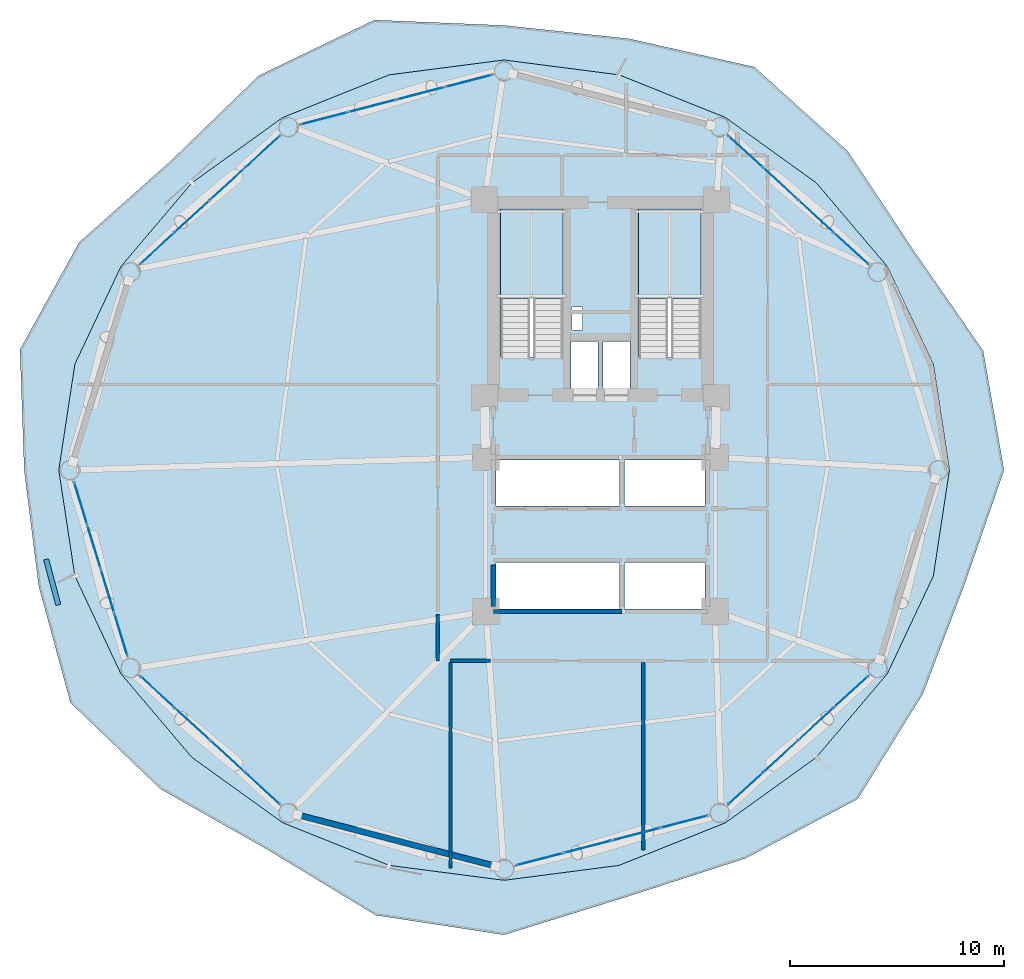
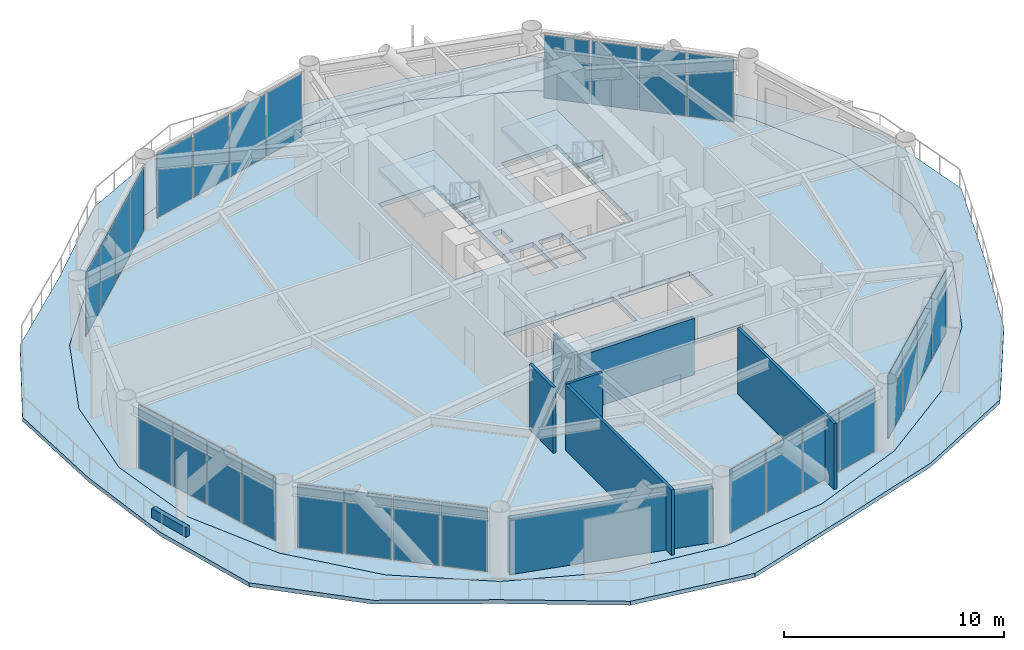
# One storey, part 18 of 23: 28 plates, 8 walls, 4 slabs, 9 elements without a shape of their own.
"""IFC4 building model written with IfcOpenShell, lengths in metres."""

from ifc_helpers import new_model, si_unit, direction, frame, frame_2d, origin, origin_2d, place, context, subcontext, project, spatial, polyline, rectangle, outline, extrude, source, transform, mapped, material, layer, layer_set, type_object, type_shapes, element, aggregate, save


model = new_model("IFC4")

# Units and contexts
model_context = context("Model", 3, precision=1e-05, world=origin(), true_north=direction((0.0, 1.0)))
body_context = subcontext(model_context, "Body", "Model", "MODEL_VIEW")
ifc_project = project(units=[si_unit("LENGTHUNIT", "METRE"), si_unit("AREAUNIT", "SQUARE_METRE"), si_unit("VOLUMEUNIT", "CUBIC_METRE"), si_unit("PLANEANGLEUNIT", "RADIAN"), si_unit("MASSUNIT", "GRAM", prefix="KILO")], contexts=[model_context])

# Site, building, storey
site_placement = place(None, origin())
site = spatial("IfcSite", under=ifc_project, at=site_placement, CompositionType="ELEMENT")
building_placement = place(site_placement, origin())
building = spatial("IfcBuilding", under=site, at=building_placement, Name="Varnakorn Sky Granary", CompositionType="ELEMENT")
storey_placement = place(building_placement, frame((0.0, 0.0, 31.5)))
storey = spatial("IfcBuildingStorey", under=building, at=storey_placement, Name="L07", CompositionType="ELEMENT", Elevation=31.5)

# Stair, slab
ifc_material_1 = material(Name="Concrete C40/50", Category="concrete")
stair_type = type_object("IfcStairType", Name="ST-MAIN-ASSEMBLY", PredefinedType="HALF_TURN_STAIR", material=ifc_material_1)
stair_1_placement = place(storey_placement, origin())
stair_1 = element("IfcStair", 1, at=stair_1_placement, inside=storey, type_object=stair_type, Name="L07 Protected Exit Stair ST-1", PredefinedType="HALF_TURN_STAIR")
ifc_layer_1 = layer(ifc_material_1, 0.199951171875, Name="Concrete C40/50")
ifc_layer_set_1 = layer_set([ifc_layer_1], Name="Concrete C40/50")
slab_type_1 = type_object("IfcSlabType", Name="ST-MAIN-LAND", PredefinedType="LANDING", material=ifc_layer_set_1)
slab_1_placement = place(storey_placement, frame((0.0, 0.0, 1.75)))
slab_1 = element("IfcSlab", 2, at=slab_1_placement, type_object=slab_type_1, Name="ST-1 landing 1", PredefinedType="LANDING", context=body_context, shape_type="SweptSolid", body=[
    extrude(outline(polyline([(1.239990234375, 8.0), (1.239990234375, 12.179931640625), (-1.669921875, 12.179931640625), (-1.669921875, 8.0), (1.239990234375, 8.0)])), origin(), (0.0, 0.0, 1.0), 0.199951171875),
])
aggregate(stair_1, [slab_1])

stair_2_placement = place(storey_placement, origin())
stair_2 = element("IfcStair", 3, at=stair_2_placement, inside=storey, type_object=stair_type, Name="L07 Protected Exit Stair ST-2", PredefinedType="HALF_TURN_STAIR")
slab_2_placement = place(storey_placement, frame((0.0, 0.0, 1.75)))
slab_2 = element("IfcSlab", 4, at=slab_2_placement, type_object=slab_type_1, Name="ST-2 landing 1", PredefinedType="LANDING", context=body_context, shape_type="SweptSolid", body=[
    extrude(outline(polyline([(7.679931640625, 8.0), (7.679931640625, 12.179931640625), (4.77001953125, 12.179931640625), (4.77001953125, 8.0), (7.679931640625, 8.0)])), origin(), (0.0, 0.0, 1.0), 0.199951171875),
])
aggregate(stair_2, [slab_2])

# Slabs
ifc_material_2 = material(Name="Precast concrete C40/50", Category="concrete")
ifc_layer_2 = layer(ifc_material_2, 0.219970703125, Name="Precast concrete C40/50")
ifc_layer_set_2 = layer_set([ifc_layer_2], Name="Precast concrete C40/50")
slab_type_2 = type_object("IfcSlabType", Name="ST-SL-DECK-220", PredefinedType="FLOOR", material=ifc_layer_set_2)
slab_3_placement = place(storey_placement, frame((0.0, 0.0, -0.219970703125)))
element("IfcSlab", 5, at=slab_3_placement, inside=storey, type_object=slab_type_2, Name="Wavy Sky-Farm Balcony Deck L07", PredefinedType="FLOOR", context=body_context, shape_type="SweptSolid", body=[
    extrude(outline(polyline([(21.834716796875, 0.0), (20.864013671875, 5.5673828125), (17.63525390625, 10.226806640625), (14.542724609375, 14.8818359375), (10.185302734375, 18.8173828125), (4.321533203125, 20.140380859375), (-1.5, 20.75927734375), (-7.554931640625, 21.011474609375), (-12.951904296875, 18.413330078125), (-17.076171875, 14.4150390625), (-21.335205078125, 10.630859375), (-24.097412109375, 5.6298828125), (-23.9013671875, 0.0), (-23.2265625, -5.396484375), (-21.739501953125, -10.8642578125), (-17.542724609375, -14.8818359375), (-12.547607421875, -17.713134765625), (-7.492431640625, -20.778076171875), (-1.5, -21.692626953125), (4.259033203125, -19.9072265625), (9.781005859375, -18.117431640625), (15.009521484375, -15.348388671875), (18.039306640625, -10.460205078125), (19.9931640625, -5.333984375), (21.834716796875, 0.0)]), holes=[polyline([(19.2880859375, 0.0), (18.5361328125, 4.943603515625), (16.385986328125, 9.505615234375), (13.072021484375, 13.410888671875), (8.826416015625, 16.464111328125), (3.86865234375, 18.4501953125), (-1.5, 19.14599609375), (-6.86865234375, 18.4501953125), (-11.826416015625, 16.464111328125), (-16.072021484375, 13.410888671875), (-19.385986328125, 9.505615234375), (-21.5361328125, 4.943603515625), (-22.2880859375, 0.0), (-21.5361328125, -4.943603515625), (-19.385986328125, -9.505615234375), (-16.072021484375, -13.410888671875), (-11.826416015625, -16.464111328125), (-6.86865234375, -18.4501953125), (-1.5, -19.14599609375), (3.86865234375, -18.4501953125), (8.826416015625, -16.464111328125), (13.072021484375, -13.410888671875), (16.385986328125, -9.505615234375), (18.5361328125, -4.943603515625), (19.2880859375, 0.0)])]), origin(), (0.0, 0.0, 1.0), 0.219970703125),
])
ifc_material_3 = material(Name="Concrete C50/60", Category="concrete")
ifc_layer_3 = layer(ifc_material_3, 0.260009765625, Name="Concrete C50/60")
ifc_layer_set_3 = layer_set([ifc_layer_3], Name="Concrete C50/60")
slab_type_3 = type_object("IfcSlabType", Name="ST-SL-TWR-260", PredefinedType="FLOOR", material=ifc_layer_set_3)
slab_4_placement = place(storey_placement, frame((0.0, 0.0, -0.260009765625)))
element("IfcSlab", 6, at=slab_4_placement, inside=storey, type_object=slab_type_3, Name="Level L07 Structural Floor Slab", PredefinedType="FLOOR", context=body_context, shape_type="SweptSolid", body=[
    extrude(outline(polyline([(19.2880859375, 0.0), (18.5361328125, 4.943603515625), (16.385986328125, 9.505615234375), (13.072021484375, 13.410888671875), (8.826416015625, 16.464111328125), (3.86865234375, 18.4501953125), (-1.5, 19.14599609375), (-6.86865234375, 18.4501953125), (-11.826416015625, 16.464111328125), (-16.072021484375, 13.410888671875), (-19.385986328125, 9.505615234375), (-21.5361328125, 4.943603515625), (-22.2880859375, 0.0), (-21.5361328125, -4.943603515625), (-19.385986328125, -9.505615234375), (-16.072021484375, -13.410888671875), (-11.826416015625, -16.464111328125), (-6.86865234375, -18.4501953125), (-1.5, -19.14599609375), (3.86865234375, -18.4501953125), (8.826416015625, -16.464111328125), (13.072021484375, -13.410888671875), (16.385986328125, -9.505615234375), (18.5361328125, -4.943603515625), (19.2880859375, 0.0)]), holes=[polyline([(1.239990234375, 5.27490234375), (1.239990234375, 12.179931640625), (-1.669921875, 12.179931640625), (-1.669921875, 5.27490234375), (1.239990234375, 5.27490234375)]), polyline([(7.679931640625, 5.27490234375), (7.679931640625, 12.179931640625), (4.77001953125, 12.179931640625), (4.77001953125, 5.27490234375), (7.679931640625, 5.27490234375)]), polyline([(1.659912109375, 6.550048828125), (2.14990234375, 6.550048828125), (2.14990234375, 7.6201171875), (1.659912109375, 7.6201171875), (1.659912109375, 6.550048828125)]), polyline([(1.6201171875, 3.739990234375), (2.8798828125, 3.739990234375), (2.8798828125, 6.010009765625), (1.6201171875, 6.010009765625), (1.6201171875, 3.739990234375)]), polyline([(3.1201171875, 3.739990234375), (4.3798828125, 3.739990234375), (4.3798828125, 6.010009765625), (3.1201171875, 6.010009765625), (3.1201171875, 3.739990234375)]), polyline([(-1.8798828125, -1.679931640625), (3.8798828125, -1.679931640625), (3.8798828125, 0.47998046875), (-1.8798828125, 0.47998046875), (-1.8798828125, -1.679931640625)]), polyline([(4.1201171875, -1.679931640625), (7.8798828125, -1.679931640625), (7.8798828125, 0.47998046875), (4.1201171875, 0.47998046875), (4.1201171875, -1.679931640625)]), polyline([(-1.8798828125, -6.47998046875), (3.8798828125, -6.47998046875), (3.8798828125, -4.320068359375), (-1.8798828125, -4.320068359375), (-1.8798828125, -6.47998046875)]), polyline([(4.1201171875, -6.47998046875), (7.8798828125, -6.47998046875), (7.8798828125, -4.320068359375), (4.1201171875, -4.320068359375), (4.1201171875, -6.47998046875)])]), origin(), (0.0, 0.0, 1.0), 0.260009765625),
])

# Curtain wall, plates
ifc_material_4 = material(Name="Anodised Bronze Aluminium Alloy 6063-T6", Category="aluminium")
ifc_layer_4 = layer(ifc_material_4, 0.18994140625, Name="Anodised Bronze Aluminium Alloy 6063-T6")
ifc_layer_set_4 = layer_set([ifc_layer_4], Name="Anodised Bronze Aluminium Alloy 6063-T6")
curtain_wall_type = type_object("IfcCurtainWallType", Name="CW-FRM-1", PredefinedType="USERDEFINED", material=ifc_layer_set_4)
curtain_wall_1_placement = place(storey_placement, origin())
curtain_wall_1 = element("IfcCurtainWall", 7, at=curtain_wall_1_placement, inside=storey, type_object=curtain_wall_type, Name="Unitised Curtain Wall CW3 CW-L07-B02", ObjectType="CURTAIN WALL", PredefinedType="USERDEFINED")
ifc_material_5 = material(Name="Low-E Tinted Laminated Glass", Category="glass")
ifc_layer_5 = layer(ifc_material_5, 0.028076171875, Name="Low-E Tinted Laminated Glass")
ifc_layer_set_5 = layer_set([ifc_layer_5], Name="Low-E Tinted Laminated Glass")
plate_type = type_object("IfcPlateType", Name="CW-FRM-1-PNL", PredefinedType="CURTAIN_PANEL")
shared_shape_1 = source(origin(), body_context, "Body", "SweptSolid", [
    extrude(rectangle(XDim=2.134033203125, YDim=0.028076171875, at=origin_2d()), origin(), (0.0, 0.0, 1.0), 3.5),
])
plate_1_placement = place(storey_placement, frame((9.769775390625, 14.868896484375, 0.070068359375), z_axis=(0.0, 0.0, 1.0), x_axis=(0.736546689499, -0.676386704621, 0.0)))
plate_1 = element("IfcPlate", 8, at=plate_1_placement, type_object=plate_type, material=ifc_layer_set_5, Name="CW3 vision glazing unit 1.1", PredefinedType="CURTAIN_PANEL", context=body_context, shape_type="MappedRepresentation", body=[
    mapped(shared_shape_1, transform((0.0, 0.0, 0.0), x_axis=(1.0, 0.0, 0.0), y_axis=(0.0, 1.0, 0.0), z_axis=(0.0, 0.0, 1.0), scale=1.0)),
])
plate_2_placement = place(storey_placement, frame((14.69140625, 10.349365234375, 0.070068359375), z_axis=(0.0, 0.0, 1.0), x_axis=(0.736546689499, -0.676386704621, 0.0)))
plate_2 = element("IfcPlate", 9, at=plate_2_placement, type_object=plate_type, material=ifc_layer_set_5, Name="CW3 vision glazing unit 4.1", PredefinedType="CURTAIN_PANEL", context=body_context, shape_type="MappedRepresentation", body=[
    mapped(shared_shape_1, transform((0.0, 0.0, 0.0), x_axis=(1.0, 0.0, 0.0), y_axis=(0.0, 1.0, 0.0), z_axis=(0.0, 0.0, 1.0), scale=1.0)),
])

curtain_wall_2_placement = place(storey_placement, origin())
curtain_wall_2 = element("IfcCurtainWall", 10, at=curtain_wall_2_placement, inside=storey, type_object=curtain_wall_type, Name="Unitised Curtain Wall CW3 CW-L07-B05", ObjectType="CURTAIN WALL", PredefinedType="USERDEFINED")
plate_3_placement = place(storey_placement, frame((-17.69140625, 10.349365234375, 0.070068359375), z_axis=(0.0, 0.0, 1.0), x_axis=(0.736546689499, 0.676386704621, 0.0)))
plate_3 = element("IfcPlate", 11, at=plate_3_placement, type_object=plate_type, material=ifc_layer_set_5, Name="CW3 vision glazing unit 1.1", PredefinedType="CURTAIN_PANEL", context=body_context, shape_type="MappedRepresentation", body=[
    mapped(shared_shape_1, transform((0.0, 0.0, 0.0), x_axis=(1.0, 0.0, 0.0), y_axis=(0.0, 1.0, 0.0), z_axis=(0.0, 0.0, 1.0), scale=1.0)),
])
plate_4_placement = place(storey_placement, frame((-12.769775390625, 14.868896484375, 0.070068359375), z_axis=(0.0, 0.0, 1.0), x_axis=(0.736546689499, 0.676386704621, 0.0)))
plate_4 = element("IfcPlate", 12, at=plate_4_placement, type_object=plate_type, material=ifc_layer_set_5, Name="CW3 vision glazing unit 4.1", PredefinedType="CURTAIN_PANEL", context=body_context, shape_type="MappedRepresentation", body=[
    mapped(shared_shape_1, transform((0.0, 0.0, 0.0), x_axis=(1.0, 0.0, 0.0), y_axis=(0.0, 1.0, 0.0), z_axis=(0.0, 0.0, 1.0), scale=1.0)),
])

curtain_wall_3_placement = place(storey_placement, origin())
curtain_wall_3 = element("IfcCurtainWall", 13, at=curtain_wall_3_placement, inside=storey, type_object=curtain_wall_type, Name="Unitised Curtain Wall CW3 CW-L07-B08", ObjectType="CURTAIN WALL", PredefinedType="USERDEFINED")
plate_5_placement = place(storey_placement, frame((-12.769775390625, -14.868896484375, 0.070068359375), z_axis=(0.0, 0.0, 1.0), x_axis=(-0.736546689499, 0.676386704621, 0.0)))
plate_5 = element("IfcPlate", 14, at=plate_5_placement, type_object=plate_type, material=ifc_layer_set_5, Name="CW3 vision glazing unit 1.1", PredefinedType="CURTAIN_PANEL", context=body_context, shape_type="MappedRepresentation", body=[
    mapped(shared_shape_1, transform((0.0, 0.0, 0.0), x_axis=(1.0, 0.0, 0.0), y_axis=(0.0, 1.0, 0.0), z_axis=(0.0, 0.0, 1.0), scale=1.0)),
])
plate_6_placement = place(storey_placement, frame((-17.69140625, -10.349365234375, 0.070068359375), z_axis=(0.0, 0.0, 1.0), x_axis=(-0.736546689499, 0.676386704621, 0.0)))
plate_6 = element("IfcPlate", 15, at=plate_6_placement, type_object=plate_type, material=ifc_layer_set_5, Name="CW3 vision glazing unit 4.1", PredefinedType="CURTAIN_PANEL", context=body_context, shape_type="MappedRepresentation", body=[
    mapped(shared_shape_1, transform((0.0, 0.0, 0.0), x_axis=(1.0, 0.0, 0.0), y_axis=(0.0, 1.0, 0.0), z_axis=(0.0, 0.0, 1.0), scale=1.0)),
])

curtain_wall_4_placement = place(storey_placement, origin())
curtain_wall_4 = element("IfcCurtainWall", 16, at=curtain_wall_4_placement, inside=storey, type_object=curtain_wall_type, Name="Unitised Curtain Wall CW3 CW-L07-B11", ObjectType="CURTAIN WALL", PredefinedType="USERDEFINED")
plate_7_placement = place(storey_placement, frame((14.69140625, -10.349365234375, 0.070068359375), z_axis=(0.0, 0.0, 1.0), x_axis=(-0.736546689499, -0.676386704621, 0.0)))
plate_7 = element("IfcPlate", 17, at=plate_7_placement, type_object=plate_type, material=ifc_layer_set_5, Name="CW3 vision glazing unit 1.1", PredefinedType="CURTAIN_PANEL", context=body_context, shape_type="MappedRepresentation", body=[
    mapped(shared_shape_1, transform((0.0, 0.0, 0.0), x_axis=(1.0, 0.0, 0.0), y_axis=(0.0, 1.0, 0.0), z_axis=(0.0, 0.0, 1.0), scale=1.0)),
])
plate_8_placement = place(storey_placement, frame((9.769775390625, -14.868896484375, 0.070068359375), z_axis=(0.0, 0.0, 1.0), x_axis=(-0.736546689499, -0.676386704621, 0.0)))
plate_8 = element("IfcPlate", 18, at=plate_8_placement, type_object=plate_type, material=ifc_layer_set_5, Name="CW3 vision glazing unit 4.1", PredefinedType="CURTAIN_PANEL", context=body_context, shape_type="MappedRepresentation", body=[
    mapped(shared_shape_1, transform((0.0, 0.0, 0.0), x_axis=(1.0, 0.0, 0.0), y_axis=(0.0, 1.0, 0.0), z_axis=(0.0, 0.0, 1.0), scale=1.0)),
])

# Plate
ifc_material_6 = material(Name="Opaque Insulated Aluminium Shadow-Box Unit", Category="aluminium")
ifc_layer_6 = layer(ifc_material_6, 0.028076171875, Name="Opaque Insulated Aluminium Shadow-Box Unit")
ifc_layer_set_6 = layer_set([ifc_layer_6], Name="Opaque Insulated Aluminium Shadow-Box Unit")
shared_shape_2 = source(origin(), body_context, "Body", "SweptSolid", [
    extrude(rectangle(XDim=2.1689453125, YDim=0.028076171875, at=origin_2d()), origin(), (0.0, 0.0, 1.0), 3.5),
])
plate_9_placement = place(storey_placement, frame((11.406005859375, 13.3662109375, 0.070068359375), z_axis=(0.0, 0.0, 1.0), x_axis=(0.736546689499, -0.676386704621, 0.0)))
plate_9 = element("IfcPlate", 19, at=plate_9_placement, type_object=plate_type, material=ifc_layer_set_6, Name="CW3 opaque insulated shadow-box unit 2.1", PredefinedType="CURTAIN_PANEL", context=body_context, shape_type="MappedRepresentation", body=[
    mapped(shared_shape_2, transform((0.0, 0.0, 0.0), x_axis=(1.0, 0.0, 0.0), y_axis=(0.0, 1.0, 0.0), z_axis=(0.0, 0.0, 1.0), scale=1.0)),
])

plate_10_placement = place(storey_placement, frame((13.05517578125, 11.851806640625, 0.070068359375), z_axis=(0.0, 0.0, 1.0), x_axis=(0.736546689499, -0.676386704621, 0.0)))
plate_10 = element("IfcPlate", 20, at=plate_10_placement, type_object=plate_type, material=ifc_layer_set_6, Name="CW3 opaque insulated shadow-box unit 3.1", PredefinedType="CURTAIN_PANEL", context=body_context, shape_type="MappedRepresentation", body=[
    mapped(shared_shape_2, transform((0.0, 0.0, 0.0), x_axis=(1.0, 0.0, 0.0), y_axis=(0.0, 1.0, 0.0), z_axis=(0.0, 0.0, 1.0), scale=1.0)),
])

aggregate(curtain_wall_1, [plate_1, plate_9, plate_10, plate_2])

plate_11_placement = place(storey_placement, frame((-16.05517578125, 11.851806640625, 0.070068359375), z_axis=(0.0, 0.0, 1.0), x_axis=(0.736546689499, 0.676386704621, 0.0)))
plate_11 = element("IfcPlate", 21, at=plate_11_placement, type_object=plate_type, material=ifc_layer_set_6, Name="CW3 opaque insulated shadow-box unit 2.1", PredefinedType="CURTAIN_PANEL", context=body_context, shape_type="MappedRepresentation", body=[
    mapped(shared_shape_2, transform((0.0, 0.0, 0.0), x_axis=(1.0, 0.0, 0.0), y_axis=(0.0, 1.0, 0.0), z_axis=(0.0, 0.0, 1.0), scale=1.0)),
])

plate_12_placement = place(storey_placement, frame((-14.406005859375, 13.3662109375, 0.070068359375), z_axis=(0.0, 0.0, 1.0), x_axis=(0.736546689499, 0.676386704621, 0.0)))
plate_12 = element("IfcPlate", 22, at=plate_12_placement, type_object=plate_type, material=ifc_layer_set_6, Name="CW3 opaque insulated shadow-box unit 3.1", PredefinedType="CURTAIN_PANEL", context=body_context, shape_type="MappedRepresentation", body=[
    mapped(shared_shape_2, transform((0.0, 0.0, 0.0), x_axis=(1.0, 0.0, 0.0), y_axis=(0.0, 1.0, 0.0), z_axis=(0.0, 0.0, 1.0), scale=1.0)),
])

aggregate(curtain_wall_2, [plate_3, plate_11, plate_12, plate_4])

plate_13_placement = place(storey_placement, frame((-14.406005859375, -13.3662109375, 0.070068359375), z_axis=(0.0, 0.0, 1.0), x_axis=(-0.736546689499, 0.676386704621, 0.0)))
plate_13 = element("IfcPlate", 23, at=plate_13_placement, type_object=plate_type, material=ifc_layer_set_6, Name="CW3 opaque insulated shadow-box unit 2.1", PredefinedType="CURTAIN_PANEL", context=body_context, shape_type="MappedRepresentation", body=[
    mapped(shared_shape_2, transform((0.0, 0.0, 0.0), x_axis=(1.0, 0.0, 0.0), y_axis=(0.0, 1.0, 0.0), z_axis=(0.0, 0.0, 1.0), scale=1.0)),
])

plate_14_placement = place(storey_placement, frame((-16.05517578125, -11.851806640625, 0.070068359375), z_axis=(0.0, 0.0, 1.0), x_axis=(-0.736546689499, 0.676386704621, 0.0)))
plate_14 = element("IfcPlate", 24, at=plate_14_placement, type_object=plate_type, material=ifc_layer_set_6, Name="CW3 opaque insulated shadow-box unit 3.1", PredefinedType="CURTAIN_PANEL", context=body_context, shape_type="MappedRepresentation", body=[
    mapped(shared_shape_2, transform((0.0, 0.0, 0.0), x_axis=(1.0, 0.0, 0.0), y_axis=(0.0, 1.0, 0.0), z_axis=(0.0, 0.0, 1.0), scale=1.0)),
])

aggregate(curtain_wall_3, [plate_5, plate_13, plate_14, plate_6])

plate_15_placement = place(storey_placement, frame((13.05517578125, -11.851806640625, 0.070068359375), z_axis=(0.0, 0.0, 1.0), x_axis=(-0.736546689499, -0.676386704621, 0.0)))
plate_15 = element("IfcPlate", 25, at=plate_15_placement, type_object=plate_type, material=ifc_layer_set_6, Name="CW3 opaque insulated shadow-box unit 2.1", PredefinedType="CURTAIN_PANEL", context=body_context, shape_type="MappedRepresentation", body=[
    mapped(shared_shape_2, transform((0.0, 0.0, 0.0), x_axis=(1.0, 0.0, 0.0), y_axis=(0.0, 1.0, 0.0), z_axis=(0.0, 0.0, 1.0), scale=1.0)),
])

plate_16_placement = place(storey_placement, frame((11.406005859375, -13.3662109375, 0.070068359375), z_axis=(0.0, 0.0, 1.0), x_axis=(-0.736546689499, -0.676386704621, 0.0)))
plate_16 = element("IfcPlate", 26, at=plate_16_placement, type_object=plate_type, material=ifc_layer_set_6, Name="CW3 opaque insulated shadow-box unit 3.1", PredefinedType="CURTAIN_PANEL", context=body_context, shape_type="MappedRepresentation", body=[
    mapped(shared_shape_2, transform((0.0, 0.0, 0.0), x_axis=(1.0, 0.0, 0.0), y_axis=(0.0, 1.0, 0.0), z_axis=(0.0, 0.0, 1.0), scale=1.0)),
])

aggregate(curtain_wall_4, [plate_7, plate_15, plate_16, plate_8])

# Curtain wall, plates
curtain_wall_5_placement = place(storey_placement, origin())
curtain_wall_5 = element("IfcCurtainWall", 27, at=curtain_wall_5_placement, inside=storey, type_object=curtain_wall_type, Name="Unitised Curtain Wall CW3 CW-L07-B04", ObjectType="CURTAIN WALL", PredefinedType="USERDEFINED")
shared_shape_3 = source(origin(), body_context, "Body", "SweptSolid", [
    extrude(rectangle(XDim=2.232666015625, YDim=0.028076171875, at=origin_2d()), origin(), (0.0, 0.0, 1.0), 3.5),
])
plate_17_placement = place(storey_placement, frame((-9.90283203125, 16.41552734375, 0.070068359375), z_axis=(0.0, 0.0, 1.0), x_axis=(0.967944338258, 0.251164802538, 0.0)))
plate_17 = element("IfcPlate", 28, at=plate_17_placement, type_object=plate_type, material=ifc_layer_set_5, Name="CW3 vision glazing unit 1.1", PredefinedType="CURTAIN_PANEL", context=body_context, shape_type="MappedRepresentation", body=[
    mapped(shared_shape_3, transform((0.0, 0.0, 0.0), x_axis=(1.0, 0.0, 0.0), y_axis=(0.0, 1.0, 0.0), z_axis=(0.0, 0.0, 1.0), scale=1.0)),
])
plate_18_placement = place(storey_placement, frame((-3.148681640625, 18.168212890625, 0.070068359375), z_axis=(0.0, 0.0, 1.0), x_axis=(0.967944338258, 0.251164802538, 0.0)))
plate_18 = element("IfcPlate", 29, at=plate_18_placement, type_object=plate_type, material=ifc_layer_set_5, Name="CW3 vision glazing unit 4.1", PredefinedType="CURTAIN_PANEL", context=body_context, shape_type="MappedRepresentation", body=[
    mapped(shared_shape_3, transform((0.0, 0.0, 0.0), x_axis=(1.0, 0.0, 0.0), y_axis=(0.0, 1.0, 0.0), z_axis=(0.0, 0.0, 1.0), scale=1.0)),
])

curtain_wall_6_placement = place(storey_placement, origin())
curtain_wall_6 = element("IfcCurtainWall", 30, at=curtain_wall_6_placement, inside=storey, type_object=curtain_wall_type, Name="Unitised Curtain Wall CW3 CW-L07-B10", ObjectType="CURTAIN WALL", PredefinedType="USERDEFINED")
plate_19_placement = place(storey_placement, frame((6.90283203125, -16.41552734375, 0.070068359375), z_axis=(0.0, 0.0, 1.0), x_axis=(-0.967944338258, -0.251164802538, 0.0)))
plate_19 = element("IfcPlate", 31, at=plate_19_placement, type_object=plate_type, material=ifc_layer_set_5, Name="CW3 vision glazing unit 1.1", PredefinedType="CURTAIN_PANEL", context=body_context, shape_type="MappedRepresentation", body=[
    mapped(shared_shape_3, transform((0.0, 0.0, 0.0), x_axis=(1.0, 0.0, 0.0), y_axis=(0.0, 1.0, 0.0), z_axis=(0.0, 0.0, 1.0), scale=1.0)),
])
plate_20_placement = place(storey_placement, frame((0.148681640625, -18.168212890625, 0.070068359375), z_axis=(0.0, 0.0, 1.0), x_axis=(-0.967944338258, -0.251164802538, 0.0)))
plate_20 = element("IfcPlate", 32, at=plate_20_placement, type_object=plate_type, material=ifc_layer_set_5, Name="CW3 vision glazing unit 4.1", PredefinedType="CURTAIN_PANEL", context=body_context, shape_type="MappedRepresentation", body=[
    mapped(shared_shape_3, transform((0.0, 0.0, 0.0), x_axis=(1.0, 0.0, 0.0), y_axis=(0.0, 1.0, 0.0), z_axis=(0.0, 0.0, 1.0), scale=1.0)),
])

# Plate
shared_shape_4 = source(origin(), body_context, "Body", "SweptSolid", [
    extrude(rectangle(XDim=2.267578125, YDim=0.028076171875, at=origin_2d()), origin(), (0.0, 0.0, 1.0), 3.5),
])
plate_21_placement = place(storey_placement, frame((-7.656982421875, 16.998291015625, 0.070068359375), z_axis=(0.0, 0.0, 1.0), x_axis=(0.967944338258, 0.251164802538, 0.0)))
plate_21 = element("IfcPlate", 33, at=plate_21_placement, type_object=plate_type, material=ifc_layer_set_6, Name="CW3 opaque insulated shadow-box unit 2.1", PredefinedType="CURTAIN_PANEL", context=body_context, shape_type="MappedRepresentation", body=[
    mapped(shared_shape_4, transform((0.0, 0.0, 0.0), x_axis=(1.0, 0.0, 0.0), y_axis=(0.0, 1.0, 0.0), z_axis=(0.0, 0.0, 1.0), scale=1.0)),
])

plate_22_placement = place(storey_placement, frame((-5.39453125, 17.58544921875, 0.070068359375), z_axis=(0.0, 0.0, 1.0), x_axis=(0.967944338258, 0.251164802538, 0.0)))
plate_22 = element("IfcPlate", 34, at=plate_22_placement, type_object=plate_type, material=ifc_layer_set_6, Name="CW3 opaque insulated shadow-box unit 3.1", PredefinedType="CURTAIN_PANEL", context=body_context, shape_type="MappedRepresentation", body=[
    mapped(shared_shape_4, transform((0.0, 0.0, 0.0), x_axis=(1.0, 0.0, 0.0), y_axis=(0.0, 1.0, 0.0), z_axis=(0.0, 0.0, 1.0), scale=1.0)),
])

aggregate(curtain_wall_5, [plate_17, plate_21, plate_22, plate_18])

plate_23_placement = place(storey_placement, frame((4.656982421875, -16.998291015625, 0.070068359375), z_axis=(0.0, 0.0, 1.0), x_axis=(-0.967944338258, -0.251164802538, 0.0)))
plate_23 = element("IfcPlate", 35, at=plate_23_placement, type_object=plate_type, material=ifc_layer_set_6, Name="CW3 opaque insulated shadow-box unit 2.1", PredefinedType="CURTAIN_PANEL", context=body_context, shape_type="MappedRepresentation", body=[
    mapped(shared_shape_4, transform((0.0, 0.0, 0.0), x_axis=(1.0, 0.0, 0.0), y_axis=(0.0, 1.0, 0.0), z_axis=(0.0, 0.0, 1.0), scale=1.0)),
])

plate_24_placement = place(storey_placement, frame((2.39453125, -17.58544921875, 0.070068359375), z_axis=(0.0, 0.0, 1.0), x_axis=(-0.967944338258, -0.251164802538, 0.0)))
plate_24 = element("IfcPlate", 36, at=plate_24_placement, type_object=plate_type, material=ifc_layer_set_6, Name="CW3 opaque insulated shadow-box unit 3.1", PredefinedType="CURTAIN_PANEL", context=body_context, shape_type="MappedRepresentation", body=[
    mapped(shared_shape_4, transform((0.0, 0.0, 0.0), x_axis=(1.0, 0.0, 0.0), y_axis=(0.0, 1.0, 0.0), z_axis=(0.0, 0.0, 1.0), scale=1.0)),
])

aggregate(curtain_wall_6, [plate_19, plate_23, plate_24, plate_20])

# Curtain wall, plates
curtain_wall_7_placement = place(storey_placement, origin())
curtain_wall_7 = element("IfcCurtainWall", 37, at=curtain_wall_7_placement, inside=storey, type_object=curtain_wall_type, Name="Unitised Curtain Wall CW3 CW-L07-B07", ObjectType="CURTAIN WALL", PredefinedType="USERDEFINED")
shared_shape_5 = source(origin(), body_context, "Body", "SweptSolid", [
    extrude(rectangle(XDim=2.050048828125, YDim=0.028076171875, at=origin_2d()), origin(), (0.0, 0.0, 1.0), 3.5),
])
plate_25_placement = place(storey_placement, frame((-19.382080078125, -7.689208984375, 0.070068359375), z_axis=(0.0, 0.0, 1.0), x_axis=(-0.292954972771, 0.95612623849, 0.0)))
plate_25 = element("IfcPlate", 38, at=plate_25_placement, type_object=plate_type, material=ifc_layer_set_5, Name="CW3 vision glazing unit 1.1", PredefinedType="CURTAIN_PANEL", context=body_context, shape_type="MappedRepresentation", body=[
    mapped(shared_shape_5, transform((0.0, 0.0, 0.0), x_axis=(1.0, 0.0, 0.0), y_axis=(0.0, 1.0, 0.0), z_axis=(0.0, 0.0, 1.0), scale=1.0)),
])
plate_26_placement = place(storey_placement, frame((-21.265625, -1.541259765625, 0.070068359375), z_axis=(0.0, 0.0, 1.0), x_axis=(-0.292954972771, 0.95612623849, 0.0)))
plate_26 = element("IfcPlate", 39, at=plate_26_placement, type_object=plate_type, material=ifc_layer_set_5, Name="CW3 vision glazing unit 4.1", PredefinedType="CURTAIN_PANEL", context=body_context, shape_type="MappedRepresentation", body=[
    mapped(shared_shape_5, transform((0.0, 0.0, 0.0), x_axis=(1.0, 0.0, 0.0), y_axis=(0.0, 1.0, 0.0), z_axis=(0.0, 0.0, 1.0), scale=1.0)),
])
shared_shape_6 = source(origin(), body_context, "Body", "SweptSolid", [
    extrude(rectangle(XDim=2.0849609375, YDim=0.028076171875, at=origin_2d()), origin(), (0.0, 0.0, 1.0), 3.5),
])
type_shapes(plate_type, [shared_shape_1, shared_shape_2, shared_shape_3, shared_shape_4, shared_shape_5, shared_shape_6])
plate_27_placement = place(storey_placement, frame((-20.00830078125, -5.6455078125, 0.070068359375), z_axis=(0.0, 0.0, 1.0), x_axis=(-0.292954972771, 0.95612623849, 0.0)))
plate_27 = element("IfcPlate", 40, at=plate_27_placement, type_object=plate_type, material=ifc_layer_set_6, Name="CW3 opaque insulated shadow-box unit 2.1", PredefinedType="CURTAIN_PANEL", context=body_context, shape_type="MappedRepresentation", body=[
    mapped(shared_shape_6, transform((0.0, 0.0, 0.0), x_axis=(1.0, 0.0, 0.0), y_axis=(0.0, 1.0, 0.0), z_axis=(0.0, 0.0, 1.0), scale=1.0)),
])
plate_28_placement = place(storey_placement, frame((-20.639404296875, -3.5849609375, 0.070068359375), z_axis=(0.0, 0.0, 1.0), x_axis=(-0.292954972771, 0.95612623849, 0.0)))
plate_28 = element("IfcPlate", 41, at=plate_28_placement, type_object=plate_type, material=ifc_layer_set_6, Name="CW3 opaque insulated shadow-box unit 3.1", PredefinedType="CURTAIN_PANEL", context=body_context, shape_type="MappedRepresentation", body=[
    mapped(shared_shape_6, transform((0.0, 0.0, 0.0), x_axis=(1.0, 0.0, 0.0), y_axis=(0.0, 1.0, 0.0), z_axis=(0.0, 0.0, 1.0), scale=1.0)),
])
aggregate(curtain_wall_7, [plate_25, plate_27, plate_28, plate_26])

# Walls
ifc_layer_7 = layer(ifc_material_2, 0.280029296875, Name="Precast concrete C40/50")
ifc_layer_set_7 = layer_set([ifc_layer_7], Name="Precast concrete C40/50")
wall_type_1 = type_object("IfcWallType", Name="WT-EW-CRN-280", PredefinedType="SOLIDWALL", material=ifc_layer_set_7)
wall_1_placement = place(storey_placement, frame((-1.898681640625, -18.492431640625, 0.0), z_axis=(0.0, 0.0, 1.0), x_axis=(-0.967947019929, 0.251154467629, 0.0)))
element("IfcWall", 42, at=wall_1_placement, inside=storey, type_object=wall_type_1, Name="Agritech Insulated Precast Facade Wall L07-P09", PredefinedType="SOLIDWALL", context=body_context, shape_type="SweptSolid", body=[
    extrude(rectangle(XDim=9.560302734375, YDim=0.280029296875, at=frame_2d((4.7802734375, 0.0))), origin(), (0.0, 0.0, 1.0), 3.06005859375),
])
ifc_material_7 = material(Name="Gypsum Plasterboard on Steel Stud", Category="steel")
ifc_layer_8 = layer(ifc_material_7, 0.14990234375, Name="Gypsum Plasterboard on Steel Stud")
ifc_layer_set_8 = layer_set([ifc_layer_8], Name="Gypsum Plasterboard on Steel Stud")
wall_type_2 = type_object("IfcWallType", Name="WT-PART-150", PredefinedType="PARTITIONING", material=ifc_layer_set_8)
wall_2_placement = place(storey_placement, frame((-4.0, -8.89990234375, 0.0), z_axis=(0.0, 0.0, 1.0), x_axis=(1.0, 0.0, 0.0)))
element("IfcWall", 43, at=wall_2_placement, inside=storey, type_object=wall_type_2, Name="Interior Partition Wall L07-032", PredefinedType="PARTITIONING", context=body_context, shape_type="SweptSolid", body=[
    extrude(rectangle(XDim=1.864990234375, YDim=0.14990234375, at=frame_2d((0.9326171875, 0.0))), origin(), (0.0, 0.0, 1.0), 3.639892578125),
])
wall_3_placement = place(storey_placement, frame((5.0, -8.985107421875, 0.0), z_axis=(0.0, 0.0, 1.0), x_axis=(0.0, -1.0, 0.0)))
element("IfcWall", 44, at=wall_3_placement, inside=storey, type_object=wall_type_2, Name="Interior Partition Wall L07-033", PredefinedType="PARTITIONING", context=body_context, shape_type="SweptSolid", body=[
    extrude(rectangle(XDim=8.7548828125, YDim=0.14990234375, at=frame_2d((4.37744140625, 0.0))), origin(), (0.0, 0.0, 1.0), 3.639892578125),
])
wall_4_placement = place(storey_placement, frame((-4.0, -18.58203125, 0.0), z_axis=(0.0, 0.0, 1.0), x_axis=(0.0, 1.0, 0.0)))
element("IfcWall", 45, at=wall_4_placement, inside=storey, type_object=wall_type_2, Name="Interior Partition Wall L07-034", PredefinedType="PARTITIONING", context=body_context, shape_type="SweptSolid", body=[
    extrude(rectangle(XDim=9.596923828125, YDim=0.14990234375, at=frame_2d((4.79833984375, 0.0))), origin(), (0.0, 0.0, 1.0), 3.639892578125),
])
wall_5_placement = place(storey_placement, frame((-4.60009765625, -6.735107421875, 0.0), z_axis=(0.0, 0.0, 1.0), x_axis=(0.0, -1.0, 0.0)))
element("IfcWall", 46, at=wall_5_placement, inside=storey, type_object=wall_type_2, Name="Interior Partition Wall L07-037", PredefinedType="PARTITIONING", context=body_context, shape_type="SweptSolid", body=[
    extrude(rectangle(XDim=2.164794921875, YDim=0.14990234375, at=frame_2d((1.08251953125, 0.0))), origin(), (0.0, 0.0, 1.0), 3.639892578125),
])
ifc_material_8 = material(Name="Autoclaved Aerated Concrete Blockwork", Category="masonry")
ifc_layer_9 = layer(ifc_material_8, 0.199951171875, Name="Autoclaved Aerated Concrete Blockwork")
ifc_layer_set_9 = layer_set([ifc_layer_9], Name="Autoclaved Aerated Concrete Blockwork")
wall_type_3 = type_object("IfcWallType", Name="WT-SHAFT-200", PredefinedType="SOLIDWALL", material=ifc_layer_set_9)
wall_6_placement = place(storey_placement, frame((-2.0, -6.60009765625, 0.0), z_axis=(0.0, 0.0, 1.0), x_axis=(1.0, 0.0, 0.0)))
element("IfcWall", 47, at=wall_6_placement, inside=storey, type_object=wall_type_3, Name="Interior Partition Wall L07-010", PredefinedType="SOLIDWALL", context=body_context, shape_type="SweptSolid", body=[
    extrude(rectangle(XDim=6.0, YDim=0.199951171875, at=frame_2d((3.0, 0.0))), origin(), (0.0, 0.0, 1.0), 3.1220703125),
])
wall_7_placement = place(storey_placement, frame((-2.0, -6.3701171875, 0.0), z_axis=(0.0, 0.0, 1.0), x_axis=(0.0, 1.0, 0.0)))
element("IfcWall", 48, at=wall_7_placement, inside=storey, type_object=wall_type_3, Name="Interior Partition Wall L07-011", PredefinedType="SOLIDWALL", context=body_context, shape_type="SweptSolid", body=[
    extrude(rectangle(XDim=1.940185546875, YDim=0.199951171875, at=frame_2d((0.97021484375, 0.0))), origin(), (0.0, 0.0, 1.0), 3.02197265625),
])
ifc_layer_10 = layer(ifc_material_2, 0.239990234375, Name="Precast concrete C40/50")
ifc_layer_set_10 = layer_set([ifc_layer_10], Name="Precast concrete C40/50")
wall_type_4 = type_object("IfcWallType", Name="WT-WP-PLN-240", PredefinedType="PARAPET", material=ifc_layer_set_10)
wall_8_placement = place(storey_placement, frame((-22.878662109375, -4.16455078125, 0.0), z_axis=(0.0, 0.0, 1.0), x_axis=(0.258898792763, -0.965904454439, 0.0)))
element("IfcWall", 49, at=wall_8_placement, inside=storey, type_object=wall_type_4, Name="Sky-Farm Hydroponic Planter Bed PLANTER L07", PredefinedType="PARAPET", context=body_context, shape_type="SweptSolid", body=[
    extrude(rectangle(XDim=2.199951171875, YDim=0.239990234375, at=frame_2d((1.10009765625, 0.0))), origin(), (0.0, 0.0, 1.0), 0.52001953125),
])

save(model, "model.ifc")
